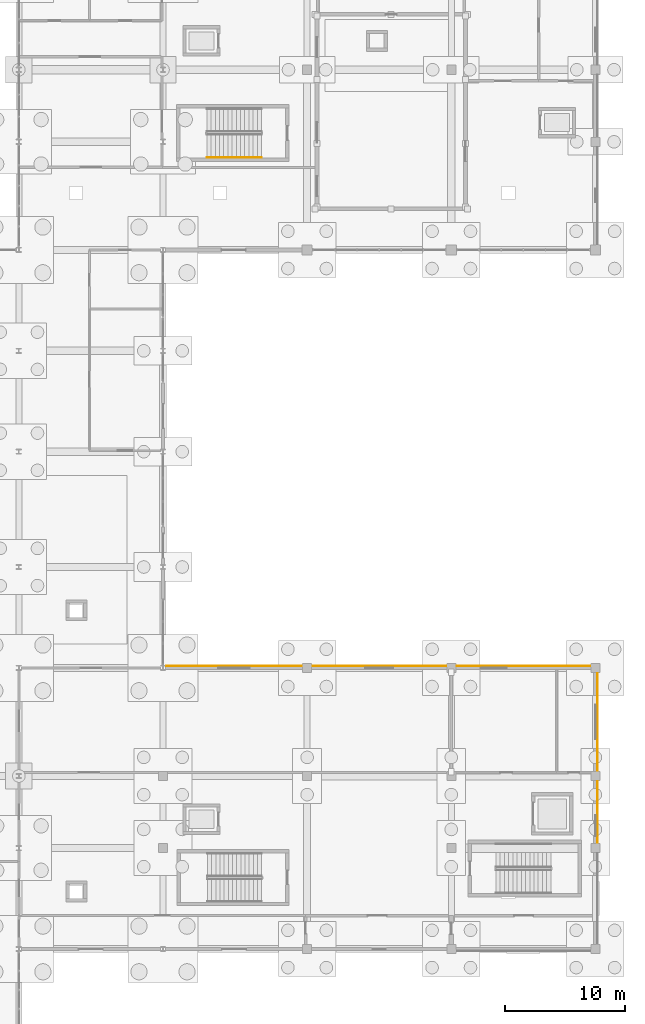
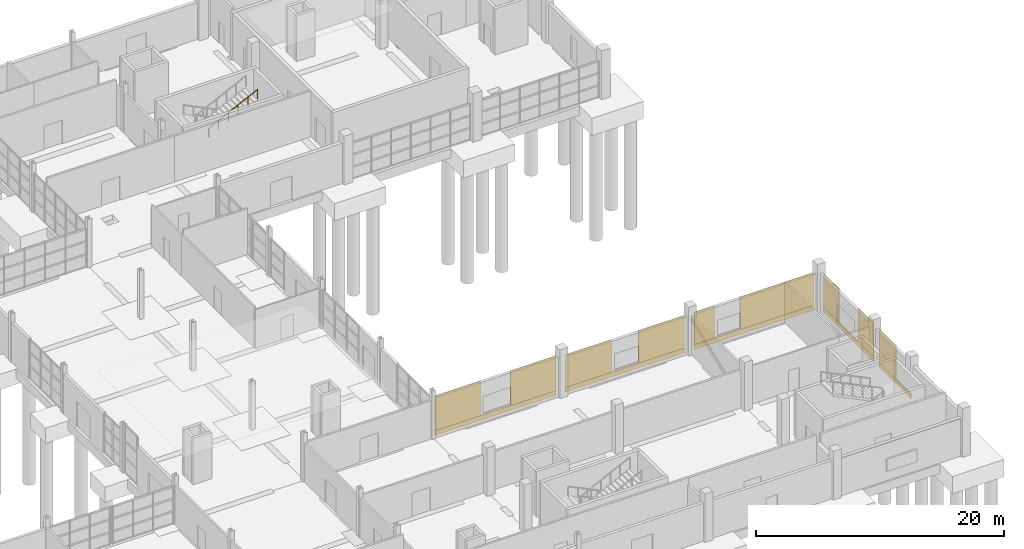
# One storey, part 79 of 82: 14 coverings, 1 railing.
"""IFC4 building model written with IfcOpenShell, lengths in metres."""

from ifc_helpers import new_model, si_unit, direction, frame, origin, origin_2d, place, context, subcontext, project, spatial, rectangle, circle, extrude, material, layer, layer_set, type_object, element, save


model = new_model("IFC4")

# Units and contexts
model_context = context("Model", 3, precision=1e-05, world=origin(), true_north=direction((0.0, 1.0)))
body_context = subcontext(model_context, "Body", "Model", "MODEL_VIEW")
ifc_project = project(units=[si_unit("LENGTHUNIT", "METRE"), si_unit("AREAUNIT", "SQUARE_METRE"), si_unit("VOLUMEUNIT", "CUBIC_METRE"), si_unit("PLANEANGLEUNIT", "RADIAN"), si_unit("MASSUNIT", "GRAM", prefix="KILO")], contexts=[model_context])

# Site, building, storey
site_placement = place(None, origin())
site = spatial("IfcSite", under=ifc_project, at=site_placement, CompositionType="ELEMENT")
building_placement = place(site_placement, origin())
building = spatial("IfcBuilding", under=site, at=building_placement, Name="Kelmvaro Bay Concert Hall", CompositionType="ELEMENT")
storey_placement = place(building_placement, origin())
storey = spatial("IfcBuildingStorey", under=building, at=storey_placement, Name="L00", CompositionType="ELEMENT", Elevation=0.0)

# Coverings
ifc_material_1 = material(Name="Honed Florida Limestone Travertine", Category="masonry")
ifc_layer = layer(ifc_material_1, 0.054931640625)
ifc_layer_set = layer_set([ifc_layer], Name="Honed Florida Limestone Travertine")
covering_type = type_object("IfcCoveringType", Name="Honed Florida Travertine Rainscreen Cladding 55", PredefinedType="CLADDING", material=ifc_layer_set)
covering_1_placement = place(storey_placement, frame((137.912841796875, 39.16552734375, 0.0400390625), z_axis=(0.0, 0.0, 1.0), x_axis=(1.0, 0.0, 0.0)))
element("IfcCovering", 1, at=covering_1_placement, inside=storey, type_object=covering_type, Name="L00 Travertine Sill Band 0685", PredefinedType="CLADDING", context=body_context, shape_type="SweptSolid", body=[
    extrude(rectangle(XDim=11.304931640625, YDim=0.054931640625, at=origin_2d()), origin(), (0.0, 0.0, 1.0), 0.4599609375),
])
for number, where, z_axis, x_axis, name in (
    (2, (134.396484375, 39.16552734375, 0.52001953125), (0.0, 0.0, 1.0), (1.0, 0.0, 0.0), "L00 Travertine Pier Panel 0686"),
    (3, (141.428955078125, 39.16552734375, 0.52001953125), (0.0, 0.0, 1.0), (1.0, 0.0, 0.0), "L00 Travertine Pier Panel 0687"),
):
    element("IfcCovering", number, at=place(storey_placement, frame(where, z_axis=z_axis, x_axis=x_axis)), inside=storey, type_object=covering_type, Name=name, PredefinedType="CLADDING", context=body_context, shape_type="SweptSolid", body=[
        extrude(rectangle(XDim=4.23193359375, YDim=0.054931640625, at=origin_2d()), origin(), (0.0, 0.0, 1.0), 3.39794921875),
    ])
covering_2_placement = place(storey_placement, frame((150.0, 39.16552734375, 0.0400390625), z_axis=(0.0, 0.0, 1.0), x_axis=(1.0, 0.0, 0.0)))
element("IfcCovering", 4, at=covering_2_placement, inside=storey, type_object=covering_type, Name="L00 Travertine Sill Band 0688", PredefinedType="CLADDING", context=body_context, shape_type="SweptSolid", body=[
    extrude(rectangle(XDim=11.1298828125, YDim=0.054931640625, at=origin_2d()), origin(), (0.0, 0.0, 1.0), 0.4599609375),
])
for number, where, z_axis, x_axis, name in (
    (5, (146.6025390625, 39.16552734375, 0.52001953125), (0.0, 0.0, 1.0), (1.0, 0.0, 0.0), "L00 Travertine Pier Panel 0689"),
    (6, (153.3974609375, 39.16552734375, 0.52001953125), (0.0, 0.0, 1.0), (1.0, 0.0, 0.0), "L00 Travertine Pier Panel 0690"),
):
    element("IfcCovering", number, at=place(storey_placement, frame(where, z_axis=z_axis, x_axis=x_axis)), inside=storey, type_object=covering_type, Name=name, PredefinedType="CLADDING", context=body_context, shape_type="SweptSolid", body=[
        extrude(rectangle(XDim=4.294921875, YDim=0.054931640625, at=origin_2d()), origin(), (0.0, 0.0, 1.0), 3.18701171875),
    ])
covering_3_placement = place(storey_placement, frame((162.0, 39.16552734375, 0.0400390625), z_axis=(0.0, 0.0, 1.0), x_axis=(1.0, 0.0, 0.0)))
element("IfcCovering", 7, at=covering_3_placement, inside=storey, type_object=covering_type, Name="L00 Travertine Sill Band 0691", PredefinedType="CLADDING", context=body_context, shape_type="SweptSolid", body=[
    extrude(rectangle(XDim=11.1298828125, YDim=0.054931640625, at=origin_2d()), origin(), (0.0, 0.0, 1.0), 0.4599609375),
])
covering_4_placement = place(storey_placement, frame((157.402587890625, 39.16552734375, 0.52001953125), z_axis=(0.0, 0.0, 1.0), x_axis=(1.0, 0.0, 0.0)))
element("IfcCovering", 8, at=covering_4_placement, inside=storey, type_object=covering_type, Name="L00 Travertine Pier Panel 0692", PredefinedType="CLADDING", context=body_context, shape_type="SweptSolid", body=[
    extrude(rectangle(XDim=1.89501953125, YDim=0.054931640625, at=origin_2d()), origin(), (0.0, 0.0, 1.0), 3.18701171875),
])
covering_5_placement = place(storey_placement, frame((164.12255859375, 39.16552734375, 0.52001953125), z_axis=(0.0, 0.0, 1.0), x_axis=(1.0, 0.0, 0.0)))
element("IfcCovering", 9, at=covering_5_placement, inside=storey, type_object=covering_type, Name="L00 Travertine Pier Panel 0693", PredefinedType="CLADDING", context=body_context, shape_type="SweptSolid", body=[
    extrude(rectangle(XDim=6.844970703125, YDim=0.054931640625, at=origin_2d()), origin(), (0.0, 0.0, 1.0), 3.18701171875),
])
covering_6_placement = place(storey_placement, frame((168.16552734375, 27.0, 0.0400390625), z_axis=(0.0, 0.0, 1.0), x_axis=(0.0, -1.0, 0.0)))
element("IfcCovering", 10, at=covering_6_placement, inside=storey, type_object=covering_type, Name="L00 Travertine Sill Band 0695", PredefinedType="CLADDING", context=body_context, shape_type="SweptSolid", body=[
    extrude(rectangle(XDim=5.1298828125, YDim=0.054931640625, at=origin_2d()), origin(), (0.0, 0.0, 1.0), 0.4599609375),
])
covering_7_placement = place(storey_placement, frame((168.16552734375, 28.1826171875, 0.52001953125), z_axis=(0.0, 0.0, 1.0), x_axis=(0.0, -1.0, 0.0)))
element("IfcCovering", 11, at=covering_7_placement, inside=storey, type_object=covering_type, Name="L00 Travertine Pier Panel 0696", PredefinedType="CLADDING", context=body_context, shape_type="SweptSolid", body=[
    extrude(rectangle(XDim=2.72509765625, YDim=0.054931640625, at=origin_2d()), origin(), (0.0, 0.0, 1.0), 3.26806640625),
])
covering_8_placement = place(storey_placement, frame((168.16552734375, 34.5, 0.0400390625), z_axis=(0.0, 0.0, 1.0), x_axis=(0.0, -1.0, 0.0)))
element("IfcCovering", 12, at=covering_8_placement, inside=storey, type_object=covering_type, Name="L00 Travertine Sill Band 0697", PredefinedType="CLADDING", context=body_context, shape_type="SweptSolid", body=[
    extrude(rectangle(XDim=8.1298828125, YDim=0.054931640625, at=origin_2d()), origin(), (0.0, 0.0, 1.0), 0.4599609375),
])
for number, where, z_axis, x_axis, name in (
    (13, (168.16552734375, 37.284912109375, 0.52001953125), (0.0, 0.0, 1.0), (0.0, -1.0, 0.0), "L00 Travertine Pier Panel 0698"),
    (14, (168.16552734375, 31.715087890625, 0.52001953125), (0.0, 0.0, 1.0), (0.0, -1.0, 0.0), "L00 Travertine Pier Panel 0699"),
):
    element("IfcCovering", number, at=place(storey_placement, frame(where, z_axis=z_axis, x_axis=x_axis)), inside=storey, type_object=covering_type, Name=name, PredefinedType="CLADDING", context=body_context, shape_type="SweptSolid", body=[
        extrude(rectangle(XDim=2.52001953125, YDim=0.054931640625, at=origin_2d()), origin(), (0.0, 0.0, 1.0), 3.26904296875),
    ])

# Railing
ifc_material_2 = material(Name="Brushed Stainless Steel 316", Category="steel")
railing_type = type_object("IfcRailingType", Name="Stair Stainless Wall Handrail 900", PredefinedType="HANDRAIL", material=ifc_material_2)
railing_placement = place(storey_placement, frame((135.64990234375, 81.5, 2.571533203125)))
element("IfcRailing", 15, at=railing_placement, inside=storey, type_object=railing_type, Name="L00 ST-07 stair handrail 2", PredefinedType="HANDRAIL", context=body_context, shape_type="SweptSolid", body=[
    extrude(circle(Radius=0.02392578125, at=origin_2d()), frame((0.0, 0.0, 0.8759765625), z_axis=(0.89806892354, 0.0, 0.439854758495), x_axis=(0.0, 1.0, 0.0)), (0.0, 0.0, 1.0), 5.06640625),
    extrude(circle(Radius=0.02099609375, at=origin_2d()), origin(), (0.0, 0.0, 1.0), 0.851806640625),
    extrude(circle(Radius=0.02099609375, at=origin_2d()), frame((0.909912109375, 0.0, 0.44580078125)), (0.0, 0.0, 1.0), 0.851806640625),
    extrude(circle(Radius=0.02099609375, at=origin_2d()), frame((1.820068359375, 0.0, 0.891357421875)), (0.0, 0.0, 1.0), 0.851806640625),
    extrude(circle(Radius=0.02099609375, at=origin_2d()), frame((2.72998046875, 0.0, 1.337158203125)), (0.0, 0.0, 1.0), 0.851806640625),
    extrude(circle(Radius=0.02099609375, at=origin_2d()), frame((3.64013671875, 0.0, 1.78271484375)), (0.0, 0.0, 1.0), 0.851806640625),
    extrude(circle(Radius=0.02099609375, at=origin_2d()), frame((4.550048828125, 0.0, 2.228515625)), (0.0, 0.0, 1.0), 0.851806640625),
])

save(model, "model.ifc")
